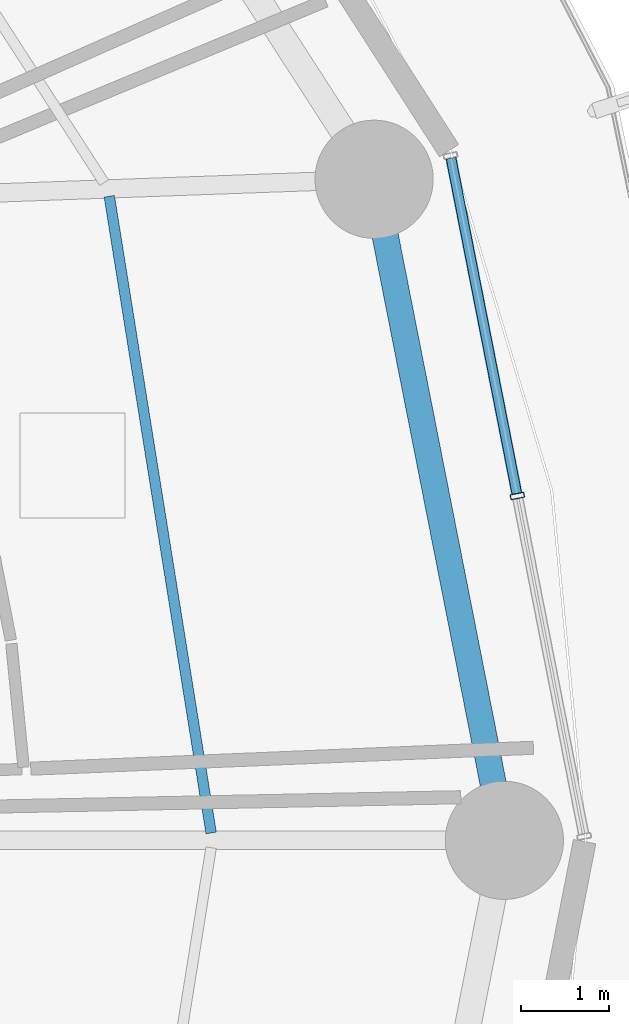
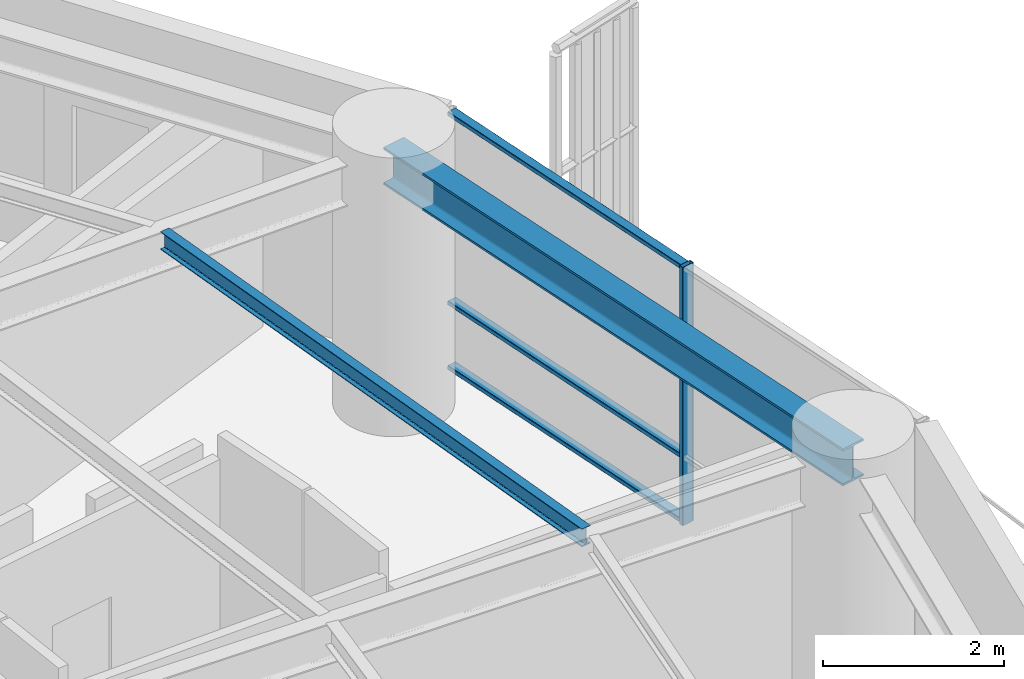
# One storey, part 16 of 35: 4 members, 2 beams, 1 element without a shape of its own.
"""IFC4 building model written with IfcOpenShell, lengths in metres."""

from ifc_helpers import new_model, si_unit, direction, frame, origin, origin_2d, place, context, subcontext, project, spatial, hollow_rectangle, i_section, extrude, material, layer, layer_set, material_profile, profile_set, type_object, element, aggregate, save


model = new_model("IFC4")

# Units and contexts
model_context = context("Model", 3, precision=1e-05, world=origin(), true_north=direction((0.0, 1.0)))
body_context = subcontext(model_context, "Body", "Model", "MODEL_VIEW")
ifc_project = project(units=[si_unit("LENGTHUNIT", "METRE"), si_unit("AREAUNIT", "SQUARE_METRE"), si_unit("VOLUMEUNIT", "CUBIC_METRE"), si_unit("PLANEANGLEUNIT", "RADIAN"), si_unit("MASSUNIT", "GRAM", prefix="KILO")], contexts=[model_context])

# Site, building, storey
site_placement = place(None, origin())
site = spatial("IfcSite", under=ifc_project, at=site_placement, CompositionType="ELEMENT")
building_placement = place(site_placement, origin())
building = spatial("IfcBuilding", under=site, at=building_placement, Name="Kelanora Arch Commons", CompositionType="ELEMENT")
storey_placement = place(building_placement, frame((0.0, 0.0, 87.60009765625)))
storey = spatial("IfcBuildingStorey", under=building, at=storey_placement, Name="L22", CompositionType="ELEMENT", Elevation=87.60009765625)

# Beams
ifc_material_1 = material(Name="Steel S355", Category="steel")
ifc_material_profile_1 = material_profile(ifc_material_1, i_section(OverallWidth=0.1201171875, OverallDepth=0.239990234375, WebThickness=0.006103515625, FlangeThickness=0.009765625, FilletRadius=0.014892578125, at=origin_2d()), Name="IPE240")
ifc_profile_set_1 = profile_set([ifc_material_profile_1], Name="Steel S355")
beam_type_1 = type_object("IfcBeamType", Name="BM-JST-02", PredefinedType="JOIST", material=ifc_profile_set_1)
beam_1_placement = place(storey_placement, frame((95.33056640625, 58.083984375, 3.369873046875), z_axis=(-0.157999549894, 0.987439184068, 0.0), x_axis=(-0.987439184068, -0.157999549894, 0.0)))
element("IfcBeam", 1, at=beam_1_placement, inside=storey, type_object=beam_type_1, Name="Secondary Chord Joist BJC-00 L22", PredefinedType="JOIST", context=body_context, shape_type="SweptSolid", body=[
    extrude(i_section(OverallWidth=0.1201171875, OverallDepth=0.239990234375, WebThickness=0.006103515625, FlangeThickness=0.009765625, FilletRadius=0.014892578125, at=origin_2d()), origin(), (0.0, 0.0, 1.0), 7.365966796875),
])
ifc_material_profile_2 = material_profile(ifc_material_1, i_section(OverallWidth=0.300048828125, OverallDepth=0.5, WebThickness=0.014404296875, FlangeThickness=0.028076171875, FilletRadius=0.027099609375, at=origin_2d()), Name="HEB500")
ifc_profile_set_2 = profile_set([ifc_material_profile_2], Name="Steel S355")
beam_type_2 = type_object("IfcBeamType", Name="BM-SPN-Z2", PredefinedType="SPANDREL", material=ifc_profile_set_2)
beam_2_placement = place(storey_placement, frame((98.679931640625, 58.0, 3.239990234375), z_axis=(-0.19335825777, 0.981128220037, 0.0), x_axis=(-0.981128220037, -0.19335825777, 0.0)))
element("IfcBeam", 2, at=beam_2_placement, inside=storey, type_object=beam_type_2, Name="Perimeter Spandrel Beam BS-00 L22", PredefinedType="SPANDREL", context=body_context, shape_type="SweptSolid", body=[
    extrude(i_section(OverallWidth=0.300048828125, OverallDepth=0.5, WebThickness=0.014404296875, FlangeThickness=0.028076171875, FilletRadius=0.027099609375, at=origin_2d()), origin(), (0.0, 0.0, 1.0), 7.697021484375),
])

# Curtain wall, members
ifc_material_2 = material(Name="Terracotta ceramic-fritted low-E glass and aluminium", Category="masonry")
ifc_layer = layer(ifc_material_2, 0.159912109375)
ifc_layer_set = layer_set([ifc_layer], Name="Terracotta ceramic-fritted low-E glass and aluminium")
curtain_wall_type = type_object("IfcCurtainWallType", Name="CW-SYS-01", PredefinedType="NOTDEFINED", material=ifc_layer_set)
curtain_wall_placement = place(storey_placement, origin())
curtain_wall = element("IfcCurtainWall", 3, at=curtain_wall_placement, inside=storey, type_object=curtain_wall_type, Name="Unitised Curtain Wall L22-B00", PredefinedType="NOTDEFINED")
ifc_material_3 = material(Name="Powder-coated aluminium terracotta", Category="masonry")
ifc_material_profile_3 = material_profile(ifc_material_3, hollow_rectangle(XDim=0.159912109375, YDim=0.06005859375, WallThickness=0.0048828125, InnerFilletRadius=0.0048828125, OuterFilletRadius=0.010009765625, at=origin_2d()), Name="CWM160x60")
ifc_profile_set_3 = profile_set([ifc_material_profile_3], Name="Powder-coated aluminium terracotta")
member_type_1 = type_object("IfcMemberType", Name="CWM-STD", PredefinedType="MULLION", material=ifc_profile_set_3)
member_1_placement = place(storey_placement, frame((98.828125, 61.933349609375, 0.0), z_axis=(0.0, 0.0, 1.0), x_axis=(-0.981280311646, -0.192584916272, 0.0)))
member_1 = element("IfcMember", 4, at=member_1_placement, type_object=member_type_1, Name="CW-01 mullion 2", PredefinedType="MULLION", context=body_context, shape_type="SweptSolid", body=[
    extrude(hollow_rectangle(XDim=0.159912109375, YDim=0.06005859375, WallThickness=0.0048828125, InnerFilletRadius=0.0048828125, OuterFilletRadius=0.010009765625, at=origin_2d()), origin(), (0.0, 0.0, 1.0), 3.474853515625),
])
ifc_material_profile_4 = material_profile(ifc_material_3, hollow_rectangle(XDim=0.1201171875, YDim=0.06005859375, WallThickness=0.0048828125, InnerFilletRadius=0.0048828125, OuterFilletRadius=0.010009765625, at=origin_2d()), Name="CWT120x60")
ifc_profile_set_4 = profile_set([ifc_material_profile_4], Name="Powder-coated aluminium terracotta")
member_type_2 = type_object("IfcMemberType", Name="CWT-STD", PredefinedType="USERDEFINED", material=ifc_profile_set_4)
member_2_placement = place(storey_placement, frame((98.822265625, 61.962646484375, 0.02978515625), z_axis=(-0.192578614785, 0.981281548348, 0.0), x_axis=(-0.981281548348, -0.192578614785, 0.0)))
member_2 = element("IfcMember", 5, at=member_2_placement, type_object=member_type_2, Name="CW-01 transom 2.1", ObjectType="TRANSOM", PredefinedType="USERDEFINED", context=body_context, shape_type="SweptSolid", body=[
    extrude(hollow_rectangle(XDim=0.1201171875, YDim=0.06005859375, WallThickness=0.0048828125, InnerFilletRadius=0.0048828125, OuterFilletRadius=0.010009765625, at=origin_2d()), origin(), (0.0, 0.0, 1.0), 3.9033203125),
])
member_3_placement = place(storey_placement, frame((98.822265625, 61.962646484375, 0.89990234375), z_axis=(-0.192578614785, 0.981281548348, 0.0), x_axis=(-0.981281548348, -0.192578614785, 0.0)))
member_3 = element("IfcMember", 6, at=member_3_placement, type_object=member_type_2, Name="CW-01 transom 2.2", ObjectType="TRANSOM", PredefinedType="USERDEFINED", context=body_context, shape_type="SweptSolid", body=[
    extrude(hollow_rectangle(XDim=0.1201171875, YDim=0.06005859375, WallThickness=0.0048828125, InnerFilletRadius=0.0048828125, OuterFilletRadius=0.010009765625, at=origin_2d()), origin(), (0.0, 0.0, 1.0), 3.9033203125),
])
member_4_placement = place(storey_placement, frame((98.822265625, 61.962646484375, 3.44482421875), z_axis=(-0.192578614785, 0.981281548348, 0.0), x_axis=(-0.981281548348, -0.192578614785, 0.0)))
member_4 = element("IfcMember", 7, at=member_4_placement, type_object=member_type_2, Name="CW-01 transom 2.3", ObjectType="TRANSOM", PredefinedType="USERDEFINED", context=body_context, shape_type="SweptSolid", body=[
    extrude(hollow_rectangle(XDim=0.1201171875, YDim=0.06005859375, WallThickness=0.0048828125, InnerFilletRadius=0.0048828125, OuterFilletRadius=0.010009765625, at=origin_2d()), origin(), (0.0, 0.0, 1.0), 3.9033203125),
])
aggregate(curtain_wall, [member_1, member_2, member_3, member_4])

save(model, "model.ifc")
